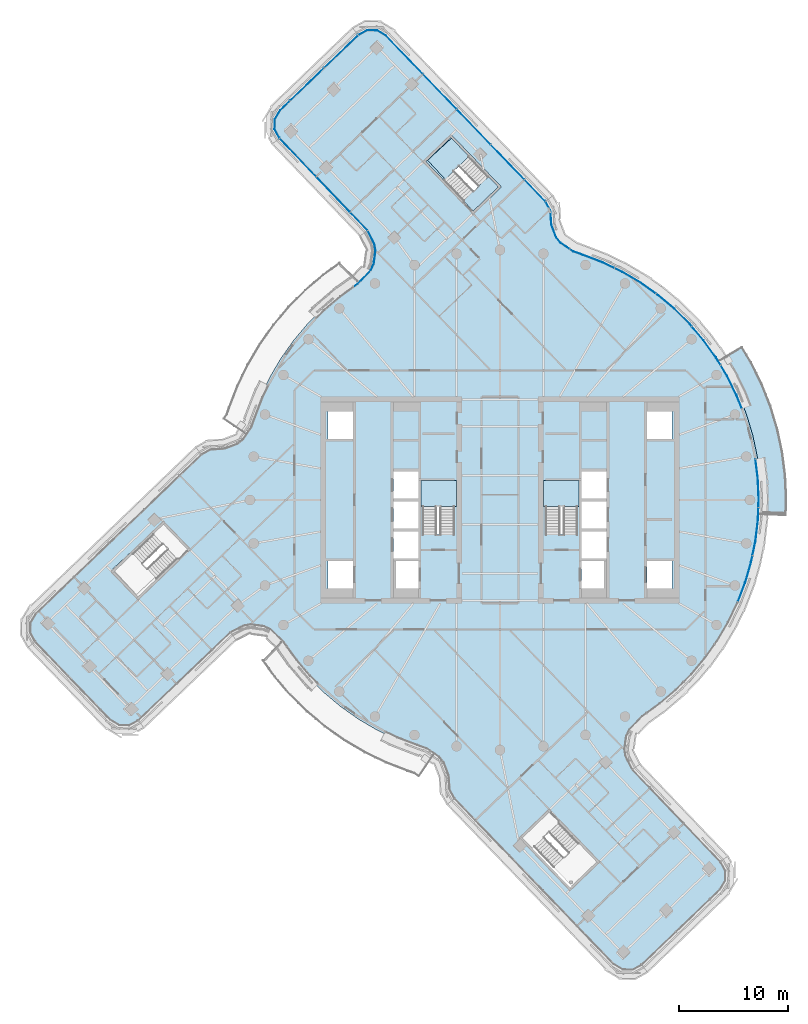
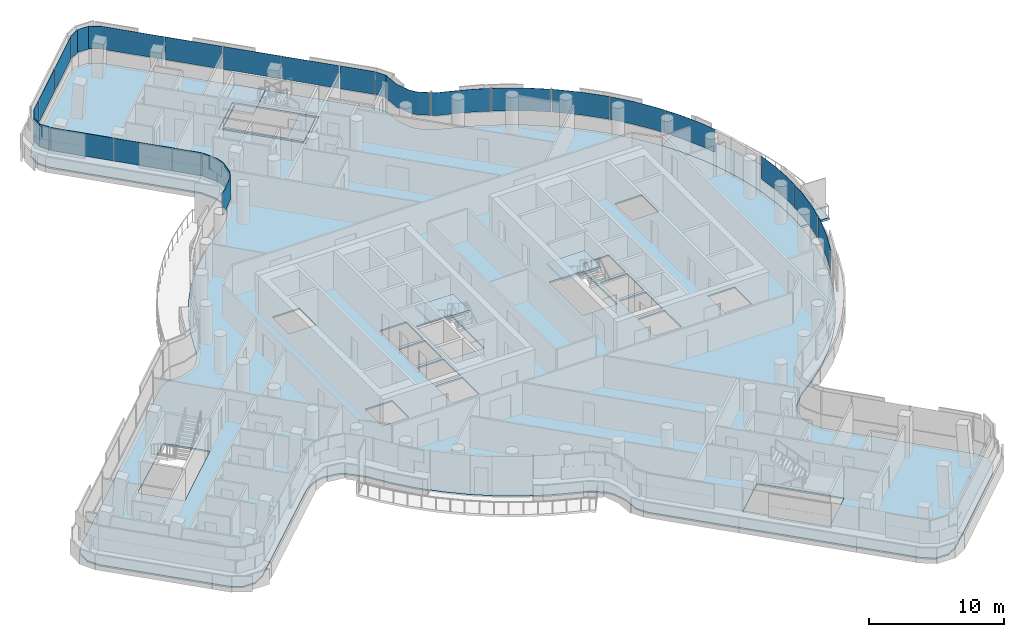
# One storey, part 19 of 34: 21 plates, 6 slabs, 8 elements without a shape of their own.
"""IFC4 building model written with IfcOpenShell, lengths in metres."""

from ifc_helpers import new_model, si_unit, direction, frame, origin, place, context, subcontext, project, spatial, polyline, outline, extrude, material, layer, layer_set, type_object, element, aggregate, save


model = new_model("IFC4")

# Units and contexts
model_context = context("Model", 3, precision=1e-05, world=origin(), true_north=direction((0.0, 1.0)))
body_context = subcontext(model_context, "Body", "Model", "MODEL_VIEW")
ifc_project = project(units=[si_unit("LENGTHUNIT", "METRE"), si_unit("AREAUNIT", "SQUARE_METRE"), si_unit("VOLUMEUNIT", "CUBIC_METRE"), si_unit("PLANEANGLEUNIT", "RADIAN"), si_unit("MASSUNIT", "GRAM", prefix="KILO")], contexts=[model_context])

# Site, building, storey
site_placement = place(None, origin())
site = spatial("IfcSite", under=ifc_project, at=site_placement, CompositionType="ELEMENT")
building_placement = place(site_placement, origin())
building = spatial("IfcBuilding", under=site, at=building_placement, Name="Tamarind Cross Interchange Tower", CompositionType="ELEMENT")
storey_placement = place(building_placement, frame((0.0, 0.0, 193.300048828125)))
storey = spatial("IfcBuildingStorey", under=building, at=storey_placement, Name="L48", CompositionType="ELEMENT", Elevation=193.300048828125)

# Slabs
ifc_material_1 = material(Name="Precast concrete C40", Category="concrete")
ifc_layer_1 = layer(ifc_material_1, 0.199951171875)
ifc_layer_set_1 = layer_set([ifc_layer_1], Name="Precast concrete C40")
slab_type_1 = type_object("IfcSlabType", Name="Balcony slab", PredefinedType="BASESLAB", material=ifc_layer_set_1)
slab_1_placement = place(storey_placement, frame((0.0, 0.0, -0.199951171875)))
element("IfcSlab", 1, at=slab_1_placement, inside=storey, type_object=slab_type_1, Name="SLB-L48-BAL06", PredefinedType="BASESLAB", context=body_context, shape_type="SweptSolid", body=[
    extrude(outline(polyline([(23.94384765625, -1.296630859375), (23.995849609375, 0.103271484375), (23.9052734375, 2.08447265625), (23.6513671875, 4.051513671875), (23.236083984375, 5.99072265625), (22.662109375, 7.88916015625), (21.93310546875, 9.733642578125), (21.054443359375, 11.511474609375), (20.248779296875, 12.850341796875), (22.30517578125, 14.087646484375), (23.162109375, 12.663818359375), (24.128662109375, 10.7080078125), (24.9306640625, 8.6787109375), (25.56201171875, 6.59033203125), (26.01904296875, 4.45703125), (26.298095703125, 2.293212890625), (26.397705078125, 0.113525390625), (26.34228515625, -1.385498046875), (23.94384765625, -1.296630859375)])), origin(), (0.0, 0.0, 1.0), 0.199951171875),
])
ifc_material_2 = material(Name="Concrete C35", Category="concrete")
ifc_layer_2 = layer(ifc_material_2, 0.139892578125)
ifc_layer_set_2 = layer_set([ifc_layer_2], Name="Concrete C35")
slab_type_2 = type_object("IfcSlabType", Name="Composite slab 140 Concrete C35", PredefinedType="FLOOR", material=ifc_layer_set_2)
slab_2_placement = place(storey_placement, frame((0.0, 0.0, -0.14013671875)))
element("IfcSlab", 2, at=slab_2_placement, inside=storey, type_object=slab_type_2, Name="Floor slab L48", PredefinedType="FLOOR", context=body_context, shape_type="SweptSolid", body=[
    extrude(outline(polyline([(-26.7216796875, 4.827880859375), (-27.587158203125, 4.33837890625), (-42.845947265625, -10.335693359375), (-43.380859375, -11.22216796875), (-43.401123046875, -12.257080078125), (-42.901123046875, -13.163818359375), (-35.969482421875, -20.371337890625), (-35.0830078125, -20.906494140625), (-34.048095703125, -20.9267578125), (-33.1416015625, -20.426513671875), (-24.66943359375, -12.340576171875), (-23.489990234375, -11.747314453125), (-22.920654296875, -11.65185546875), (-21.762939453125, -11.8076171875), (-21.239013671875, -12.05029296875), (-20.031982421875, -13.2109375), (-18.87255859375, -14.820068359375), (-17.584228515625, -16.327880859375), (-16.17578125, -17.72412109375), (-14.656982421875, -18.99951171875), (-13.0380859375, -20.14501953125), (-11.329833984375, -21.15283203125), (-9.54443359375, -22.01611328125), (-7.693603515625, -22.72900390625), (-6.82763671875, -23.034423828125), (-5.718505859375, -23.78271484375), (-5.35400390625, -24.23974609375), (-4.927001953125, -25.34375), (-4.827880859375, -26.7216796875), (-4.33837890625, -27.587158203125), (10.335693359375, -42.845947265625), (11.22216796875, -43.380859375), (12.257080078125, -43.401123046875), (13.163818359375, -42.901123046875), (20.371337890625, -35.969482421875), (20.906494140625, -35.0830078125), (20.9267578125, -34.048095703125), (20.426513671875, -33.1416015625), (12.340576171875, -24.66943359375), (11.747314453125, -23.489990234375), (11.65185546875, -22.920654296875), (11.8076171875, -21.762939453125), (12.05029296875, -21.239013671875), (13.2109375, -20.031982421875), (14.820068359375, -18.87255859375), (16.327880859375, -17.584228515625), (17.72412109375, -16.17578125), (18.99951171875, -14.656982421875), (20.14501953125, -13.0380859375), (21.15283203125, -11.329833984375), (22.01611328125, -9.54443359375), (22.72900390625, -7.693603515625), (23.286865234375, -5.79052734375), (23.685546875, -3.84765625), (23.92236328125, -1.878662109375), (23.99560546875, 0.103271484375), (23.9052734375, 2.08447265625), (23.651611328125, 4.051513671875), (23.236083984375, 5.99072265625), (22.662109375, 7.88916015625), (21.93310546875, 9.7333984375), (21.054443359375, 11.511474609375), (20.031982421875, 13.2109375), (18.87255859375, 14.820068359375), (17.584228515625, 16.327880859375), (16.17578125, 17.72412109375), (14.656982421875, 18.99951171875), (13.0380859375, 20.14501953125), (11.329833984375, 21.15283203125), (9.54443359375, 22.01611328125), (7.693603515625, 22.72900390625), (6.82763671875, 23.034423828125), (5.718505859375, 23.78271484375), (5.35400390625, 24.23974609375), (4.927001953125, 25.34375), (4.827880859375, 26.7216796875), (4.33837890625, 27.587158203125), (-10.335693359375, 42.845947265625), (-11.22216796875, 43.380859375), (-12.257080078125, 43.401123046875), (-13.163818359375, 42.901123046875), (-20.371337890625, 35.969482421875), (-20.906494140625, 35.0830078125), (-20.9267578125, 34.048095703125), (-20.426513671875, 33.1416015625), (-12.340576171875, 24.66943359375), (-11.747314453125, 23.489990234375), (-11.65185546875, 22.920654296875), (-11.8076171875, 21.762939453125), (-12.05029296875, 21.239013671875), (-13.2109375, 20.031982421875), (-14.820068359375, 18.87255859375), (-16.327880859375, 17.584228515625), (-17.72412109375, 16.17578125), (-18.99951171875, 14.656982421875), (-20.14501953125, 13.0380859375), (-21.15283203125, 11.329833984375), (-22.01611328125, 9.54443359375), (-22.72900390625, 7.693603515625), (-23.034423828125, 6.82763671875), (-23.78271484375, 5.718505859375), (-24.23974609375, 5.35400390625), (-25.34375, 4.927001953125), (-26.7216796875, 4.827880859375)]), holes=[polyline([(-33.282958984375, -9.18603515625), (-33.421630859375, -9.0419921875), (-35.639892578125, -6.7353515625), (-35.7783203125, -6.59130859375), (-35.572998046875, -6.3935546875), (-35.61376953125, -6.349609375), (-33.201416015625, -4.11279296875), (-30.94921875, -1.947021484375), (-30.810546875, -2.09130859375), (-28.592529296875, -4.397705078125), (-28.453857421875, -4.541748046875), (-33.282958984375, -9.18603515625)]), polyline([(-13.5, -8.125), (-15.800048828125, -8.125), (-15.800048828125, -5.625), (-13.5, -5.625), (-13.5, -8.125)]), polyline([(-7.5, -8.125), (-9.800048828125, -8.125), (-9.800048828125, -5.625), (-7.5, -5.625), (-7.5, -8.125)]), polyline([(-7.5, -5.375), (-9.800048828125, -5.375), (-9.800048828125, -2.875), (-7.5, -2.875), (-7.5, -5.375)]), polyline([(-7.5, -2.625), (-9.800048828125, -2.625), (-9.800048828125, -0.125), (-7.5, -0.125), (-7.5, -2.625)]), polyline([(-4.199951171875, 1.800048828125), (-4.199951171875, -3.18798828125), (-7.14990234375, -3.18798828125), (-7.14990234375, 1.800048828125), (-4.199951171875, 1.800048828125)]), polyline([(-7.5, 0.125), (-9.800048828125, 0.125), (-9.800048828125, 2.625), (-7.5, 2.625), (-7.5, 0.125)]), polyline([(-13.5, 5.625), (-15.800048828125, 5.625), (-15.800048828125, 8.125), (-13.5, 8.125), (-13.5, 5.625)]), polyline([(-7.1064453125, 31.12060546875), (-6.96240234375, 31.25927734375), (-4.656005859375, 33.4775390625), (-4.51171875, 33.6162109375), (-4.313720703125, 33.41015625), (-4.309814453125, 33.413818359375), (-4.11279296875, 33.201416015625), (0.132568359375, 28.786865234375), (-0.01171875, 28.648193359375), (-2.318115234375, 26.43017578125), (-2.46240234375, 26.29150390625), (-7.1064453125, 31.12060546875)]), polyline([(6.43994140625, -35.924072265625), (1.771240234375, -31.0693359375), (1.915283203125, -30.930908203125), (4.373291015625, -28.567138671875), (4.517333984375, -28.428466796875), (9.18603515625, -33.282958984375), (9.0419921875, -33.421630859375), (6.583984375, -35.785400390625), (6.43994140625, -35.924072265625)]), polyline([(9.800048828125, -5.625), (9.800048828125, -8.125), (7.5, -8.125), (7.5, -5.625), (9.800048828125, -5.625)]), polyline([(13.5, -5.625), (15.800048828125, -5.625), (15.800048828125, -8.125), (13.5, -8.125), (13.5, -5.625)]), polyline([(7.5, -2.875), (9.800048828125, -2.875), (9.800048828125, -5.375), (7.5, -5.375), (7.5, -2.875)]), polyline([(7.5, -0.125), (9.800048828125, -0.125), (9.800048828125, -2.625), (7.5, -2.625), (7.5, -0.125)]), polyline([(7.14990234375, 1.800048828125), (7.14990234375, -3.18798828125), (4.199951171875, -3.18798828125), (4.199951171875, 1.800048828125), (7.14990234375, 1.800048828125)]), polyline([(7.5, 2.625), (9.800048828125, 2.625), (9.800048828125, 0.125), (7.5, 0.125), (7.5, 2.625)]), polyline([(13.5, 8.125), (15.800048828125, 8.125), (15.800048828125, 5.625), (13.5, 5.625), (13.5, 8.125)])]), origin(), (0.0, 0.0, 1.0), 0.14013671875),
])
slab_3_placement = place(storey_placement, frame((0.0, 0.0, -0.14013671875)))
element("IfcSlab", 3, at=slab_3_placement, inside=storey, type_object=slab_type_2, Name="Floor slab L48", PredefinedType="FLOOR", context=body_context, shape_type="SweptSolid", body=[
    extrude(outline(polyline([(-4.517333984375, 33.333251953125), (-6.82373046875, 31.115234375), (-2.456787109375, 26.57421875), (-0.150390625, 28.79248046875), (-1.059814453125, 29.738037109375), (-3.283203125, 27.599853515625), (-6.656494140625, 31.238037109375), (-4.46044921875, 33.274169921875), (-4.517333984375, 33.333251953125)])), origin(), (0.0, 0.0, 1.0), 0.14013671875),
])

# Stair, slab
ifc_material_3 = material(Name="Exit stair")
stair_type = type_object("IfcStairType", Name="Exit stair", PredefinedType="HALF_TURN_STAIR", material=ifc_material_3)
stair_1_placement = place(storey_placement, origin())
stair_1 = element("IfcStair", 4, at=stair_1_placement, inside=storey, type_object=stair_type, Name="L48 exit stair ST1", PredefinedType="HALF_TURN_STAIR")
ifc_material_4 = material(Name="Concrete C40", Category="concrete")
ifc_layer_3 = layer(ifc_material_4, 0.199951171875)
ifc_layer_set_3 = layer_set([ifc_layer_3], Name="Concrete C40")
slab_type_3 = type_object("IfcSlabType", Name="Stair landing", PredefinedType="LANDING", material=ifc_layer_set_3)
slab_4_placement = place(storey_placement, frame((0.0, 0.0, 1.599853515625)))
slab_4 = element("IfcSlab", 5, at=slab_4_placement, type_object=slab_type_3, Name="ST1 landing 1", PredefinedType="LANDING", context=body_context, shape_type="SweptSolid", body=[
    extrude(outline(polyline([(-4.0, -0.60009765625), (-4.0, 1.800048828125), (-7.25, 1.800048828125), (-7.25, -0.60009765625), (-4.0, -0.60009765625)])), origin(), (0.0, 0.0, 1.0), 0.2001953125),
])
aggregate(stair_1, [slab_4])

stair_2_placement = place(storey_placement, origin())
stair_2 = element("IfcStair", 6, at=stair_2_placement, inside=storey, type_object=stair_type, Name="L48 exit stair ST2", PredefinedType="HALF_TURN_STAIR")
slab_5_placement = place(storey_placement, frame((0.0, 0.0, 1.599853515625)))
slab_5 = element("IfcSlab", 7, at=slab_5_placement, type_object=slab_type_3, Name="ST2 landing 1", PredefinedType="LANDING", context=body_context, shape_type="SweptSolid", body=[
    extrude(outline(polyline([(7.25, -0.60009765625), (7.25, 1.800048828125), (4.0, 1.800048828125), (4.0, -0.60009765625), (7.25, -0.60009765625)])), origin(), (0.0, 0.0, 1.0), 0.2001953125),
])
aggregate(stair_2, [slab_5])

stair_3_placement = place(storey_placement, origin())
stair_3 = element("IfcStair", 8, at=stair_3_placement, inside=storey, type_object=stair_type, Name="L48 exit stair ST4", PredefinedType="HALF_TURN_STAIR")
slab_6_placement = place(storey_placement, frame((0.0, 0.0, 1.599853515625)))
slab_6 = element("IfcSlab", 9, at=slab_6_placement, type_object=slab_type_3, Name="ST4 landing 1", PredefinedType="LANDING", context=body_context, shape_type="SweptSolid", body=[
    extrude(outline(polyline([(-2.845458984375, 31.5947265625), (-4.517333984375, 33.333251953125), (-6.82373046875, 31.115234375), (-5.15185546875, 29.376708984375), (-2.845458984375, 31.5947265625)])), origin(), (0.0, 0.0, 1.0), 0.2001953125),
])
aggregate(stair_3, [slab_6])

# Curtain wall, plates
ifc_material_5 = material(Name="Aluminium 6063-T6", Category="aluminium")
ifc_layer_4 = layer(ifc_material_5, 0.139892578125)
ifc_layer_set_4 = layer_set([ifc_layer_4], Name="Aluminium 6063-T6")
curtain_wall_type = type_object("IfcCurtainWallType", Name="Hotel curtain wall, 4.5 m bays", PredefinedType="NOTDEFINED", material=ifc_layer_set_4)
curtain_wall_1_placement = place(storey_placement, origin())
curtain_wall_1 = element("IfcCurtainWall", 10, at=curtain_wall_1_placement, inside=storey, type_object=curtain_wall_type, Name="CWS-L48-06", PredefinedType="NOTDEFINED")
ifc_material_6 = material(Name="Laminated low-e glass 6+1.52+6", Category="glass")
ifc_layer_5 = layer(ifc_material_6, 0.02392578125)
ifc_layer_set_5 = layer_set([ifc_layer_5], Name="Laminated low-e glass 6+1.52+6")
plate_type = type_object("IfcPlateType", Name="Vision panel CW2", PredefinedType="CURTAIN_PANEL", material=ifc_layer_set_5)
plate_1_placement = place(storey_placement, frame((0.0, 0.0, 1.39990234375)))
plate_1 = element("IfcPlate", 11, at=plate_1_placement, type_object=plate_type, Name="CWP-L48-06-04", PredefinedType="CURTAIN_PANEL", context=body_context, shape_type="SweptSolid", body=[
    extrude(outline(polyline([(21.869140625, -9.3359375), (22.528076171875, -7.625732421875), (23.080810546875, -5.7392578125), (23.202880859375, -5.145263671875), (23.226318359375, -5.150146484375), (23.104248046875, -5.7451171875), (22.55078125, -7.63330078125), (21.8916015625, -9.3447265625), (21.869140625, -9.3359375)])), origin(), (0.0, 0.0, 1.0), 2.06005859375),
])
plate_2_placement = place(storey_placement, frame((0.0, 0.0, 1.39990234375)))
plate_2 = element("IfcPlate", 12, at=plate_2_placement, type_object=plate_type, Name="CWP-L48-06-05", PredefinedType="CURTAIN_PANEL", context=body_context, shape_type="SweptSolid", body=[
    extrude(outline(polyline([(23.21484375, -5.08642578125), (23.47607421875, -3.813720703125), (23.710693359375, -1.862060546875), (23.7529296875, -0.722412109375), (23.77685546875, -0.723388671875), (23.734619140625, -1.864013671875), (23.499755859375, -3.817626953125), (23.23828125, -5.09130859375), (23.21484375, -5.08642578125)])), origin(), (0.0, 0.0, 1.0), 2.06005859375),
])
plate_3_placement = place(storey_placement, frame((0.0, 0.0, 1.39990234375)))
plate_3 = element("IfcPlate", 13, at=plate_3_placement, type_object=plate_type, Name="CWP-L48-06-06", PredefinedType="CURTAIN_PANEL", context=body_context, shape_type="SweptSolid", body=[
    extrude(outline(polyline([(23.755126953125, -0.66259765625), (23.783447265625, 0.102294921875), (23.69384765625, 2.06591796875), (23.479736328125, 3.72607421875), (23.50341796875, 3.729248046875), (23.7177734375, 2.068115234375), (23.8076171875, 0.1025390625), (23.779296875, -0.663330078125), (23.755126953125, -0.66259765625)])), origin(), (0.0, 0.0, 1.0), 2.06005859375),
])
plate_4_placement = place(storey_placement, frame((0.0, 0.0, 1.39990234375)))
plate_4 = element("IfcPlate", 14, at=plate_4_placement, type_object=plate_type, Name="CWP-L48-06-08", PredefinedType="CURTAIN_PANEL", context=body_context, shape_type="SweptSolid", body=[
    extrude(outline(polyline([(22.2236328125, 8.421630859375), (21.7392578125, 9.6474609375), (20.868408203125, 11.40966796875), (20.2900390625, 12.37060546875), (20.310791015625, 12.383056640625), (20.889404296875, 11.421142578125), (21.76123046875, 9.6572265625), (22.245849609375, 8.430419921875), (22.2236328125, 8.421630859375)])), origin(), (0.0, 0.0, 1.0), 2.06005859375),
])
plate_5_placement = place(storey_placement, frame((0.0, 0.0, 1.39990234375)))
plate_5 = element("IfcPlate", 15, at=plate_5_placement, type_object=plate_type, Name="CWP-L48-06-09", PredefinedType="CURTAIN_PANEL", context=body_context, shape_type="SweptSolid", body=[
    extrude(outline(polyline([(20.25927734375, 12.422119140625), (19.854736328125, 13.093994140625), (18.705810546875, 14.68896484375), (17.630615234375, 15.947265625), (17.64892578125, 15.962890625), (18.724609375, 14.703857421875), (19.874755859375, 13.107177734375), (20.27978515625, 12.434326171875), (20.25927734375, 12.422119140625)])), origin(), (0.0, 0.0, 1.0), 2.06005859375),
])
plate_6_placement = place(storey_placement, frame((0.0, 0.0, 1.39990234375)))
plate_6 = element("IfcPlate", 16, at=plate_6_placement, type_object=plate_type, Name="CWP-L48-06-10", PredefinedType="CURTAIN_PANEL", context=body_context, shape_type="SweptSolid", body=[
    extrude(outline(polyline([(17.591552734375, 15.992919921875), (17.4287109375, 16.183349609375), (16.032958984375, 17.5673828125), (14.52734375, 18.83154296875), (14.3466796875, 18.95947265625), (14.3603515625, 18.97900390625), (14.5419921875, 18.850341796875), (16.049072265625, 17.585205078125), (17.4462890625, 16.19970703125), (17.60986328125, 16.008544921875), (17.591552734375, 15.992919921875)])), origin(), (0.0, 0.0, 1.0), 2.06005859375),
])
plate_7_placement = place(storey_placement, frame((0.0, 0.0, 1.39990234375)))
plate_7 = element("IfcPlate", 17, at=plate_7_placement, type_object=plate_type, Name="CWP-L48-06-11", PredefinedType="CURTAIN_PANEL", context=body_context, shape_type="SweptSolid", body=[
    extrude(outline(polyline([(14.297607421875, 18.993896484375), (12.922607421875, 19.966796875), (11.229736328125, 20.9658203125), (10.5498046875, 21.29443359375), (10.560302734375, 21.316162109375), (11.240966796875, 20.98681640625), (12.935791015625, 19.987060546875), (14.3115234375, 19.013671875), (14.297607421875, 18.993896484375)])), origin(), (0.0, 0.0, 1.0), 2.06005859375),
])
plate_8_placement = place(storey_placement, frame((0.0, 0.0, 1.39990234375)))
plate_8 = element("IfcPlate", 18, at=plate_8_placement, type_object=plate_type, Name="CWP-L48-06-12", PredefinedType="CURTAIN_PANEL", context=body_context, shape_type="SweptSolid", body=[
    extrude(outline(polyline([(10.495849609375, 21.320556640625), (9.4599609375, 21.821533203125), (7.620361328125, 22.5302734375), (6.731689453125, 22.843505859375), (6.421875, 23.052490234375), (6.435302734375, 23.072265625), (6.742431640625, 22.865234375), (7.628662109375, 22.552734375), (9.469482421875, 21.843505859375), (10.50634765625, 21.34228515625), (10.495849609375, 21.320556640625)])), origin(), (0.0, 0.0, 1.0), 2.06005859375),
])
plate_9_placement = place(storey_placement, frame((0.0, 0.0, 1.39990234375)))
plate_9 = element("IfcPlate", 19, at=plate_9_placement, type_object=plate_type, Name="CWP-L48-06-13", PredefinedType="CURTAIN_PANEL", context=body_context, shape_type="SweptSolid", body=[
    extrude(outline(polyline([(6.372314453125, 23.0859375), (5.5732421875, 23.625), (5.16796875, 24.133056640625), (4.7177734375, 25.296875), (4.619873046875, 26.658935546875), (4.18115234375, 27.434814453125), (4.2021484375, 27.446533203125), (4.6435546875, 26.666015625), (4.741455078125, 25.30224609375), (5.18896484375, 24.14501953125), (5.589599609375, 23.642822265625), (6.3857421875, 23.10595703125), (6.372314453125, 23.0859375)])), origin(), (0.0, 0.0, 1.0), 2.06005859375),
])
aggregate(curtain_wall_1, [plate_1, plate_2, plate_3, plate_4, plate_5, plate_6, plate_7, plate_8, plate_9])

curtain_wall_2_placement = place(storey_placement, origin())
curtain_wall_2 = element("IfcCurtainWall", 20, at=curtain_wall_2_placement, inside=storey, type_object=curtain_wall_type, Name="CWS-L48-07", PredefinedType="NOTDEFINED")
plate_10_placement = place(storey_placement, frame((0.0, 0.0, 1.39990234375)))
plate_10 = element("IfcPlate", 21, at=plate_10_placement, type_object=plate_type, Name="CWP-L48-07-00", PredefinedType="CURTAIN_PANEL", context=body_context, shape_type="SweptSolid", body=[
    extrude(outline(polyline([(4.1474609375, 27.47998046875), (2.2666015625, 29.435791015625), (2.283935546875, 29.452392578125), (4.164794921875, 27.496826171875), (4.1474609375, 27.47998046875)])), origin(), (0.0, 0.0, 1.0), 2.06005859375),
])
plate_11_placement = place(storey_placement, frame((0.0, 0.0, 1.39990234375)))
plate_11 = element("IfcPlate", 22, at=plate_11_placement, type_object=plate_type, Name="CWP-L48-07-01", PredefinedType="CURTAIN_PANEL", context=body_context, shape_type="SweptSolid", body=[
    extrude(outline(polyline([(2.22509765625, 29.47900390625), (-0.84521484375, 32.67138671875), (-0.827880859375, 32.68798828125), (2.2421875, 29.495849609375), (2.22509765625, 29.47900390625)])), origin(), (0.0, 0.0, 1.0), 2.06005859375),
])
plate_12_placement = place(storey_placement, frame((0.0, 0.0, 1.39990234375)))
plate_12 = element("IfcPlate", 23, at=plate_12_placement, type_object=plate_type, Name="CWP-L48-07-02", PredefinedType="CURTAIN_PANEL", context=body_context, shape_type="SweptSolid", body=[
    extrude(outline(polyline([(-0.88671875, 32.714599609375), (-3.956787109375, 35.906982421875), (-3.939453125, 35.923828125), (-0.869384765625, 32.731201171875), (-0.88671875, 32.714599609375)])), origin(), (0.0, 0.0, 1.0), 2.06005859375),
])
plate_13_placement = place(storey_placement, frame((0.0, 0.0, 1.39990234375)))
plate_13 = element("IfcPlate", 24, at=plate_13_placement, type_object=plate_type, Name="CWP-L48-07-03", PredefinedType="CURTAIN_PANEL", context=body_context, shape_type="SweptSolid", body=[
    extrude(outline(polyline([(-3.99853515625, 35.950439453125), (-7.068359375, 39.142578125), (-7.051025390625, 39.1591796875), (-3.981201171875, 35.967041015625), (-3.99853515625, 35.950439453125)])), origin(), (0.0, 0.0, 1.0), 2.06005859375),
])
plate_14_placement = place(storey_placement, frame((0.0, 0.0, 1.39990234375)))
plate_14 = element("IfcPlate", 25, at=plate_14_placement, type_object=plate_type, Name="CWP-L48-07-04", PredefinedType="CURTAIN_PANEL", context=body_context, shape_type="SweptSolid", body=[
    extrude(outline(polyline([(-7.110107421875, 39.185791015625), (-10.46923828125, 42.678955078125), (-11.282958984375, 43.170166015625), (-12.20458984375, 43.18798828125), (-13.011962890625, 42.74267578125), (-13.0234375, 42.763671875), (-12.21044921875, 43.212158203125), (-11.276123046875, 43.19384765625), (-10.4541015625, 42.69775390625), (-7.0927734375, 39.202392578125), (-7.110107421875, 39.185791015625)])), origin(), (0.0, 0.0, 1.0), 2.06005859375),
])
aggregate(curtain_wall_2, [plate_10, plate_11, plate_12, plate_13, plate_14])

curtain_wall_3_placement = place(storey_placement, origin())
curtain_wall_3 = element("IfcCurtainWall", 26, at=curtain_wall_3_placement, inside=storey, type_object=curtain_wall_type, Name="CWS-L48-08", PredefinedType="NOTDEFINED")
plate_15_placement = place(storey_placement, frame((0.0, 0.0, 1.39990234375)))
plate_15 = element("IfcPlate", 27, at=plate_15_placement, type_object=plate_type, Name="CWP-L48-08-00", PredefinedType="CURTAIN_PANEL", context=body_context, shape_type="SweptSolid", body=[
    extrude(outline(polyline([(-13.057373046875, 42.709228515625), (-16.146240234375, 39.738525390625), (-16.162841796875, 39.755859375), (-13.073974609375, 42.7265625), (-13.057373046875, 42.709228515625)])), origin(), (0.0, 0.0, 1.0), 2.06005859375),
])
plate_16_placement = place(storey_placement, frame((0.0, 0.0, 1.39990234375)))
plate_16 = element("IfcPlate", 28, at=plate_16_placement, type_object=plate_type, Name="CWP-L48-08-01", PredefinedType="CURTAIN_PANEL", context=body_context, shape_type="SweptSolid", body=[
    extrude(outline(polyline([(-16.189453125, 39.697021484375), (-19.278564453125, 36.726318359375), (-19.295166015625, 36.74365234375), (-16.2060546875, 39.71435546875), (-16.189453125, 39.697021484375)])), origin(), (0.0, 0.0, 1.0), 2.06005859375),
])
plate_17_placement = place(storey_placement, frame((0.0, 0.0, 1.39990234375)))
plate_17 = element("IfcPlate", 29, at=plate_17_placement, type_object=plate_type, Name="CWP-L48-08-02", PredefinedType="CURTAIN_PANEL", context=body_context, shape_type="SweptSolid", body=[
    extrude(outline(polyline([(-19.32177734375, 36.684814453125), (-20.204345703125, 35.8359375), (-20.695556640625, 35.022216796875), (-20.713623046875, 34.1005859375), (-20.26806640625, 33.29296875), (-20.2890625, 33.28125), (-20.73779296875, 34.0947265625), (-20.719482421875, 35.029052734375), (-20.22314453125, 35.85107421875), (-19.33837890625, 36.7021484375), (-19.32177734375, 36.684814453125)])), origin(), (0.0, 0.0, 1.0), 2.06005859375),
])
aggregate(curtain_wall_3, [plate_15, plate_16, plate_17])

curtain_wall_4_placement = place(storey_placement, origin())
curtain_wall_4 = element("IfcCurtainWall", 30, at=curtain_wall_4_placement, inside=storey, type_object=curtain_wall_type, Name="CWS-L48-09", PredefinedType="NOTDEFINED")
plate_18_placement = place(storey_placement, frame((0.0, 0.0, 1.39990234375)))
plate_18 = element("IfcPlate", 31, at=plate_18_placement, type_object=plate_type, Name="CWP-L48-09-00", PredefinedType="CURTAIN_PANEL", context=body_context, shape_type="SweptSolid", body=[
    extrude(outline(polyline([(-20.234619140625, 33.247314453125), (-16.89892578125, 29.75244140625), (-16.916259765625, 29.736083984375), (-20.251953125, 33.23095703125), (-20.234619140625, 33.247314453125)])), origin(), (0.0, 0.0, 1.0), 2.06005859375),
])
plate_19_placement = place(storey_placement, frame((0.0, 0.0, 1.39990234375)))
plate_19 = element("IfcPlate", 32, at=plate_19_placement, type_object=plate_type, Name="CWP-L48-09-01", PredefinedType="CURTAIN_PANEL", context=body_context, shape_type="SweptSolid", body=[
    extrude(outline(polyline([(-16.857666015625, 29.709228515625), (-13.791015625, 26.49609375), (-13.808349609375, 26.4794921875), (-16.875, 29.692626953125), (-16.857666015625, 29.709228515625)])), origin(), (0.0, 0.0, 1.0), 2.06005859375),
])
plate_20_placement = place(storey_placement, frame((0.0, 0.0, 1.39990234375)))
plate_20 = element("IfcPlate", 33, at=plate_20_placement, type_object=plate_type, Name="CWP-L48-09-02", PredefinedType="CURTAIN_PANEL", context=body_context, shape_type="SweptSolid", body=[
    extrude(outline(polyline([(-13.74951171875, 26.452880859375), (-12.187255859375, 24.81591796875), (-12.20458984375, 24.79931640625), (-13.766845703125, 26.436279296875), (-13.74951171875, 26.452880859375)])), origin(), (0.0, 0.0, 1.0), 2.06005859375),
])
aggregate(curtain_wall_4, [plate_18, plate_19, plate_20])

# Curtain wall, plate
curtain_wall_5_placement = place(storey_placement, origin())
curtain_wall_5 = element("IfcCurtainWall", 34, at=curtain_wall_5_placement, inside=storey, type_object=curtain_wall_type, Name="CWS-L48-10", PredefinedType="NOTDEFINED")
plate_21_placement = place(storey_placement, frame((0.0, 0.0, 1.39990234375)))
plate_21 = element("IfcPlate", 35, at=plate_21_placement, type_object=plate_type, Name="CWP-L48-10-00", PredefinedType="CURTAIN_PANEL", context=body_context, shape_type="SweptSolid", body=[
    extrude(outline(polyline([(-12.151123046875, 24.764404296875), (-11.54345703125, 23.556640625), (-11.4375, 22.924072265625), (-11.601806640625, 21.702880859375), (-11.872802734375, 21.11767578125), (-13.0712890625, 19.87109375), (-13.433837890625, 19.60986328125), (-13.447998046875, 19.62939453125), (-13.087158203125, 19.889404296875), (-11.892822265625, 21.13134765625), (-11.625244140625, 21.709716796875), (-11.461669921875, 22.923828125), (-11.566650390625, 23.549072265625), (-12.17236328125, 24.753662109375), (-12.151123046875, 24.764404296875)])), origin(), (0.0, 0.0, 1.0), 2.06005859375),
])
aggregate(curtain_wall_5, [plate_21])

save(model, "model.ifc")
